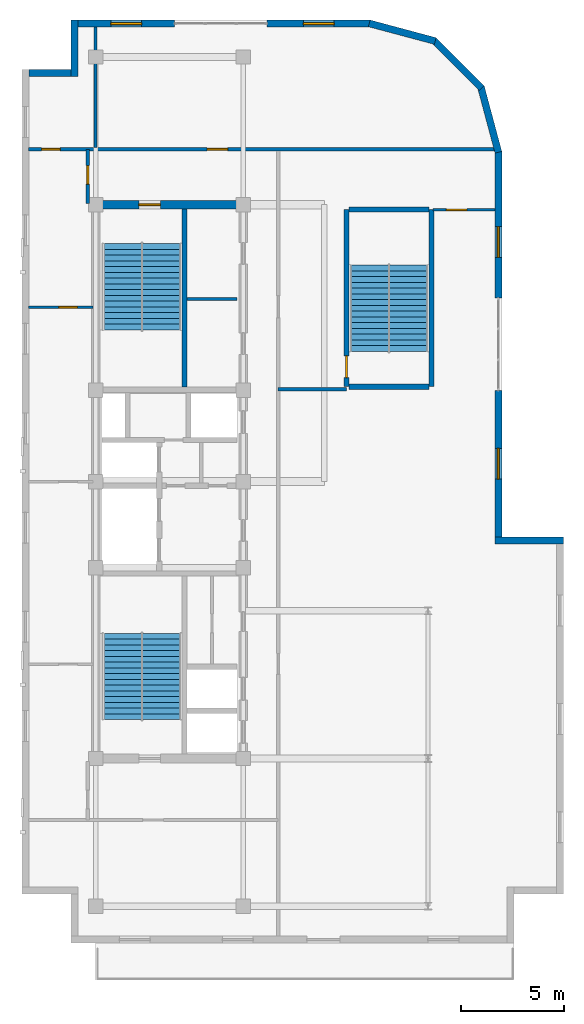
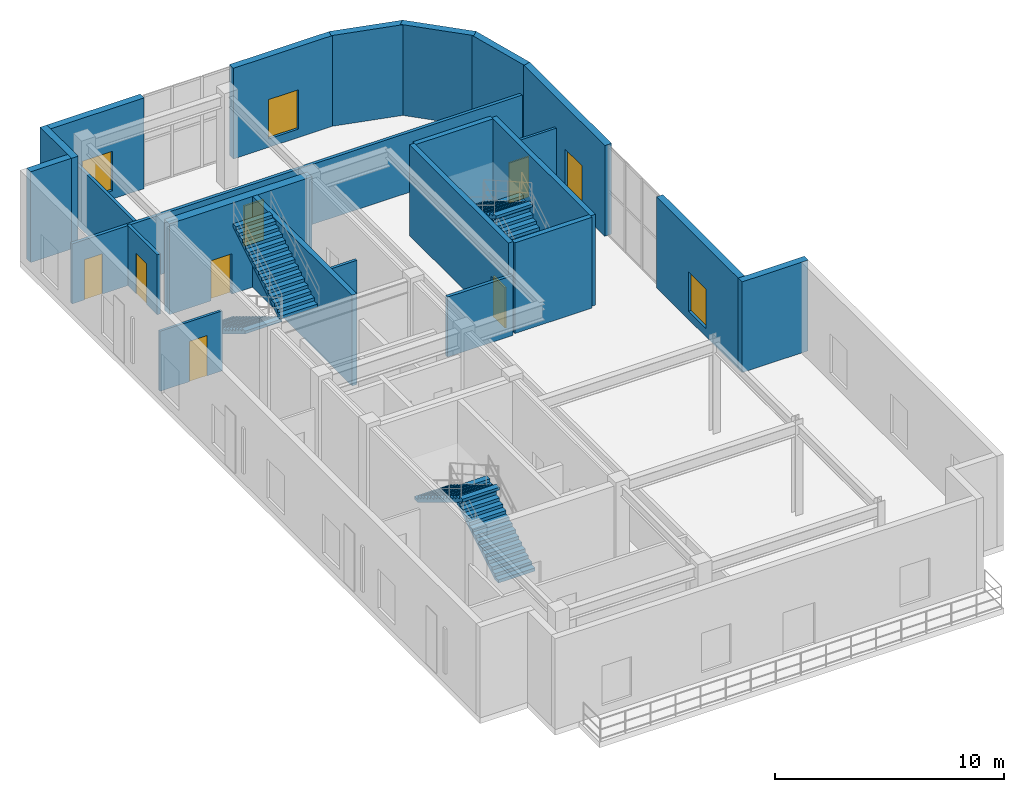
# One storey, part 8 of 10: 23 walls, 7 doors, 6 stair flights, 4 windows, 11 openings, 3 elements without a shape of their own.
"""IFC4 building model written with IfcOpenShell, lengths in metres."""

from ifc_helpers import new_model, entity, si_unit, converted_unit, direction, frame, origin_with_axes, origin_2d_with_axis, place, context, subcontext, project, spatial, polyline, rectangle, outline, extrude, material, layer, layer_set, type_object, element, fill, aggregate, save


model = new_model("IFC4")

# Units and contexts
model_context = context("Model", 3, precision=1e-05, world=origin_with_axes(), true_north=direction((0.0, 1.0)))
body_context = subcontext(model_context, "Body", "Model", "MODEL_VIEW")
ifc_project = project(units=[si_unit("LENGTHUNIT", "METRE"), si_unit("AREAUNIT", "SQUARE_METRE"), si_unit("VOLUMEUNIT", "CUBIC_METRE"), converted_unit("PLANEANGLEUNIT", "DEGREE", entity("IfcPlaneAngleMeasure", 0.017453292519943295), si_unit("PLANEANGLEUNIT", "RADIAN"), dimensions=[0, 0, 0, 0, 0, 0, 0]), si_unit("MASSUNIT", "GRAM", prefix="KILO"), si_unit("THERMODYNAMICTEMPERATUREUNIT", "KELVIN")], contexts=[model_context])

# Site, building, storey
site_placement = place(None, origin_with_axes())
site = spatial("IfcSite", under=ifc_project, at=site_placement, CompositionType="ELEMENT")
building_placement = place(site_placement, origin_with_axes())
building = spatial("IfcBuilding", under=site, at=building_placement, Name="Varnlund Millrace Tower", CompositionType="ELEMENT")
storey_placement = place(building_placement, frame((0.0, 0.0, 303.6), z_axis=(0.0, 0.0, 1.0), x_axis=(1.0, 0.0, 0.0)))
storey = spatial("IfcBuildingStorey", under=building, at=storey_placement, Name="L75", CompositionType="ELEMENT", Elevation=303.6)

# Wall, opening, door
ifc_material_1 = material(Name="Concrete C60/75", Category="concrete")
ifc_layer_1 = layer(ifc_material_1, 0.42, Name="Concrete C60/75")
ifc_layer_set_1 = layer_set([ifc_layer_1], Name="Concrete C60/75")
wall_type_1 = type_object("IfcWallType", Name="Type-CoreWall-Shear-420-C60", PredefinedType="SHEAR", material=ifc_layer_set_1)
wall_1_placement = place(storey_placement, frame((11.4, 37.8, 0.0), z_axis=(0.0, 0.0, 1.0), x_axis=(1.0, 0.0, 0.0)))
wall_1 = element("IfcWall", 1, at=wall_1_placement, inside=storey, type_object=wall_type_1, Name="Type-CoreWall-Shear-420-C60", PredefinedType="SHEAR", context=body_context, shape_type="SweptSolid", body=[
    extrude(outline(polyline([(0.0, -0.21), (7.2, -0.21), (7.2, 0.21), (0.0, 0.21), (0.0, -0.21)])), origin_with_axes(), (0.0, 0.0, 1.0), 4.84),
])
opening_1_placement = place(wall_1_placement, frame((2.625, 0.0, 0.0), z_axis=(0.0, 0.0, 1.0), x_axis=(1.0, 0.0, 0.0)))
opening_1 = element("IfcOpeningElement", 2, at=opening_1_placement, cuts=wall_1, Name="Opening L75:DR-STA2", PredefinedType="OPENING", context=body_context, shape_type="SweptSolid", body=[
    extrude(rectangle(XDim=1.05, YDim=0.44, at=origin_2d_with_axis()), origin_with_axes(), (0.0, 0.0, 1.0), 2.15),
])
ifc_material_2 = material(Name="Fire-rated hollow steel door", Category="steel")
door_type_1 = type_object("IfcDoorType", Name="Type-FireDoor-Stair-1050X2150", OperationType="NOTDEFINED", PredefinedType="DOOR", material=ifc_material_2)
door_1_placement = place(wall_1_placement, frame((2.625, 0.0, 0.0), z_axis=(0.0, 0.0, 1.0), x_axis=(1.0, 0.0, 0.0)))
door_1 = element("IfcDoor", 3, at=door_1_placement, inside=storey, type_object=door_type_1, Name="Type-FireDoor-Stair-1050X2150", OperationType="SINGLE_SWING_RIGHT", OverallHeight=2.15, OverallWidth=1.05, PredefinedType="DOOR", context=body_context, shape_type="SweptSolid", body=[
    extrude(rectangle(XDim=1.05, YDim=0.09, at=origin_2d_with_axis()), origin_with_axes(), (0.0, 0.0, 1.0), 2.15),
])
fill(opening_1, door_1)

# Walls
ifc_material_3 = material(Name="Precast concrete C50/60", Category="concrete")
ifc_layer_2 = layer(ifc_material_3, 0.34, Name="Precast concrete C50/60")
ifc_layer_set_2 = layer_set([ifc_layer_2], Name="Precast concrete C50/60")
wall_type_2 = type_object("IfcWallType", Name="Type-ExtWall-Precast-Upper-340", PredefinedType="SOLIDWALL", material=ifc_layer_set_2)
wall_2_placement = place(storey_placement, frame((8.14, 44.23, 0.0), z_axis=(0.0, 0.0, 1.0), x_axis=(1.0, 0.0, 0.0)))
element("IfcWall", 4, at=wall_2_placement, inside=storey, type_object=wall_type_2, Name="Type-ExtWall-Precast-Upper-340", PredefinedType="SOLIDWALL", context=body_context, shape_type="SweptSolid", body=[
    extrude(outline(polyline([(0.0, -0.17), (2.06, -0.17), (2.06, 0.17), (0.0, 0.17), (0.0, -0.17)])), origin_with_axes(), (0.0, 0.0, 1.0), 4.84),
])
wall_3_placement = place(storey_placement, frame((10.37, 44.06, 0.0), z_axis=(0.0, 0.0, 1.0), x_axis=(0.0, 1.0, 0.0)))
element("IfcWall", 5, at=wall_3_placement, inside=storey, type_object=wall_type_2, Name="Type-ExtWall-Precast-Upper-340", PredefinedType="SOLIDWALL", context=body_context, shape_type="SweptSolid", body=[
    extrude(outline(polyline([(0.0, -0.17), (2.74, -0.17), (2.74, 0.17), (0.0, 0.17), (0.0, -0.17)])), origin_with_axes(), (0.0, 0.0, 1.0), 4.84),
])

# Wall, opening, window
wall_4_placement = place(storey_placement, frame((10.54, 46.63, 0.0), z_axis=(0.0, 0.0, 1.0), x_axis=(1.0, 0.0, 0.0)))
wall_4 = element("IfcWall", 6, at=wall_4_placement, inside=storey, type_object=wall_type_2, Name="Type-ExtWall-Precast-Upper-340", PredefinedType="SOLIDWALL", context=body_context, shape_type="SweptSolid", body=[
    extrude(outline(polyline([(0.0, -0.17), (4.71, -0.17), (4.71, 0.17), (0.0, 0.17), (0.0, -0.17)])), origin_with_axes(), (0.0, 0.0, 1.0), 4.84),
])
opening_2_placement = place(wall_4_placement, frame((2.355, 0.0, 0.45), z_axis=(0.0, 0.0, 1.0), x_axis=(1.0, 0.0, 0.0)))
opening_2 = element("IfcOpeningElement", 7, at=opening_2_placement, cuts=wall_4, Name="Opening L75:WN-11", PredefinedType="OPENING", context=body_context, shape_type="SweptSolid", body=[
    extrude(rectangle(XDim=1.5, YDim=0.36, at=origin_2d_with_axis()), origin_with_axes(), (0.0, 0.0, 1.0), 2.1),
])
ifc_material_4 = material(Name="Argon low-e triple glazing in thermally broken bronze frame", Category="glass")
window_type = type_object("IfcWindowType", Name="Type-Window-Punched-1500X2100", PartitioningType="SINGLE_PANEL", PredefinedType="WINDOW", material=ifc_material_4)
window_1_placement = place(wall_4_placement, frame((2.355, 0.0, 0.45), z_axis=(0.0, 0.0, 1.0), x_axis=(1.0, 0.0, 0.0)))
window_1 = element("IfcWindow", 8, at=window_1_placement, inside=storey, type_object=window_type, Name="Type-Window-Punched-1500X2100", OverallHeight=2.1, OverallWidth=1.5, PredefinedType="WINDOW", context=body_context, shape_type="SweptSolid", body=[
    extrude(rectangle(XDim=1.5, YDim=0.09, at=origin_2d_with_axis()), origin_with_axes(), (0.0, 0.0, 1.0), 2.1),
])
fill(opening_2, window_1)

wall_5_placement = place(storey_placement, frame((19.75, 46.63, 0.0), z_axis=(0.0, 0.0, 1.0), x_axis=(1.0, 0.0, 0.0)))
wall_5 = element("IfcWall", 9, at=wall_5_placement, inside=storey, type_object=wall_type_2, Name="Type-ExtWall-Precast-Upper-340", PredefinedType="SOLIDWALL", context=body_context, shape_type="SweptSolid", body=[
    extrude(outline(polyline([(0.0, -0.17), (5.05, -0.17), (5.05, 0.17), (0.0, 0.17), (0.0, -0.17)])), origin_with_axes(), (0.0, 0.0, 1.0), 4.84),
])
opening_3_placement = place(wall_5_placement, frame((2.525, 0.0, 0.45), z_axis=(0.0, 0.0, 1.0), x_axis=(1.0, 0.0, 0.0)))
opening_3 = element("IfcOpeningElement", 10, at=opening_3_placement, cuts=wall_5, Name="Opening L75:WN-12", PredefinedType="OPENING", context=body_context, shape_type="SweptSolid", body=[
    extrude(rectangle(XDim=1.5, YDim=0.36, at=origin_2d_with_axis()), origin_with_axes(), (0.0, 0.0, 1.0), 2.1),
])
window_2_placement = place(wall_5_placement, frame((2.525, 0.0, 0.45), z_axis=(0.0, 0.0, 1.0), x_axis=(1.0, 0.0, 0.0)))
window_2 = element("IfcWindow", 11, at=window_2_placement, inside=storey, type_object=window_type, Name="Type-Window-Punched-1500X2100", OverallHeight=2.1, OverallWidth=1.5, PredefinedType="WINDOW", context=body_context, shape_type="SweptSolid", body=[
    extrude(rectangle(XDim=1.5, YDim=0.09, at=origin_2d_with_axis()), origin_with_axes(), (0.0, 0.0, 1.0), 2.1),
])
fill(opening_3, window_2)

# Walls
wall_6_placement = place(storey_placement, frame((24.737, 46.641, 0.0), z_axis=(0.0, 0.0, 1.0), x_axis=(0.965965, -0.258671, 0.0)))
element("IfcWall", 12, at=wall_6_placement, inside=storey, type_object=wall_type_2, Name="Type-ExtWall-Precast-Upper-340", PredefinedType="SOLIDWALL", context=body_context, shape_type="SweptSolid", body=[
    extrude(outline(polyline([(0.0, -0.17), (3.332417, -0.17), (3.332417, 0.17), (0.0, 0.17), (0.0, -0.17)])), origin_with_axes(), (0.0, 0.0, 1.0), 4.84),
])
wall_7_placement = place(storey_placement, frame((27.866, 45.837, 0.0), z_axis=(0.0, 0.0, 1.0), x_axis=(0.707107, -0.707107, 0.0)))
element("IfcWall", 13, at=wall_7_placement, inside=storey, type_object=wall_type_2, Name="Type-ExtWall-Precast-Upper-340", PredefinedType="SOLIDWALL", context=body_context, shape_type="SweptSolid", body=[
    extrude(outline(polyline([(0.0, -0.17), (3.333301, -0.17), (3.333301, 0.17), (0.0, 0.17), (0.0, -0.17)])), origin_with_axes(), (0.0, 0.0, 1.0), 4.84),
])
wall_8_placement = place(storey_placement, frame((30.174, 43.575, 0.0), z_axis=(0.0, 0.0, 1.0), x_axis=(0.258671, -0.965965, 0.0)))
element("IfcWall", 14, at=wall_8_placement, inside=storey, type_object=wall_type_2, Name="Type-ExtWall-Precast-Upper-340", PredefinedType="SOLIDWALL", context=body_context, shape_type="SweptSolid", body=[
    extrude(outline(polyline([(0.0, -0.17), (3.332417, -0.17), (3.332417, 0.17), (0.0, 0.17), (0.0, -0.17)])), origin_with_axes(), (0.0, 0.0, 1.0), 4.84),
])

# Wall, opening, window
wall_9_placement = place(storey_placement, frame((31.03, 40.42, 0.0), z_axis=(0.0, 0.0, 1.0), x_axis=(0.0, -1.0, 0.0)))
wall_9 = element("IfcWall", 15, at=wall_9_placement, inside=storey, type_object=wall_type_2, Name="Type-ExtWall-Precast-Upper-340", PredefinedType="SOLIDWALL", context=body_context, shape_type="SweptSolid", body=[
    extrude(outline(polyline([(0.0, -0.17), (7.17, -0.17), (7.17, 0.17), (0.0, 0.17), (0.0, -0.17)])), origin_with_axes(), (0.0, 0.0, 1.0), 4.84),
])
opening_4_placement = place(wall_9_placement, frame((4.435, 0.0, 0.45), z_axis=(0.0, 0.0, 1.0), x_axis=(1.0, 0.0, 0.0)))
opening_4 = element("IfcOpeningElement", 16, at=opening_4_placement, cuts=wall_9, Name="Opening L75:WN-13", PredefinedType="OPENING", context=body_context, shape_type="SweptSolid", body=[
    extrude(rectangle(XDim=1.5, YDim=0.36, at=origin_2d_with_axis()), origin_with_axes(), (0.0, 0.0, 1.0), 2.1),
])
window_3_placement = place(wall_9_placement, frame((4.435, 0.0, 0.45), z_axis=(0.0, 0.0, 1.0), x_axis=(1.0, 0.0, 0.0)))
window_3 = element("IfcWindow", 17, at=window_3_placement, inside=storey, type_object=window_type, Name="Type-Window-Punched-1500X2100", OverallHeight=2.1, OverallWidth=1.5, PredefinedType="WINDOW", context=body_context, shape_type="SweptSolid", body=[
    extrude(rectangle(XDim=1.5, YDim=0.09, at=origin_2d_with_axis()), origin_with_axes(), (0.0, 0.0, 1.0), 2.1),
])
fill(opening_4, window_3)

wall_10_placement = place(storey_placement, frame((31.03, 28.75, 0.0), z_axis=(0.0, 0.0, 1.0), x_axis=(0.0, -1.0, 0.0)))
wall_10 = element("IfcWall", 18, at=wall_10_placement, inside=storey, type_object=wall_type_2, Name="Type-ExtWall-Precast-Upper-340", PredefinedType="SOLIDWALL", context=body_context, shape_type="SweptSolid", body=[
    extrude(outline(polyline([(0.0, -0.17), (7.15, -0.17), (7.15, 0.17), (0.0, 0.17), (0.0, -0.17)])), origin_with_axes(), (0.0, 0.0, 1.0), 4.84),
])
opening_5_placement = place(wall_10_placement, frame((3.575, 0.0, 0.45), z_axis=(0.0, 0.0, 1.0), x_axis=(1.0, 0.0, 0.0)))
opening_5 = element("IfcOpeningElement", 19, at=opening_5_placement, cuts=wall_10, Name="Opening L75:WN-14", PredefinedType="OPENING", context=body_context, shape_type="SweptSolid", body=[
    extrude(rectangle(XDim=1.5, YDim=0.36, at=origin_2d_with_axis()), origin_with_axes(), (0.0, 0.0, 1.0), 2.1),
])
window_4_placement = place(wall_10_placement, frame((3.575, 0.0, 0.45), z_axis=(0.0, 0.0, 1.0), x_axis=(1.0, 0.0, 0.0)))
window_4 = element("IfcWindow", 20, at=window_4_placement, inside=storey, type_object=window_type, Name="Type-Window-Punched-1500X2100", OverallHeight=2.1, OverallWidth=1.5, PredefinedType="WINDOW", context=body_context, shape_type="SweptSolid", body=[
    extrude(rectangle(XDim=1.5, YDim=0.09, at=origin_2d_with_axis()), origin_with_axes(), (0.0, 0.0, 1.0), 2.1),
])
fill(opening_5, window_4)

# Wall
wall_11_placement = place(storey_placement, frame((30.86, 21.43, 0.0), z_axis=(0.0, 0.0, 1.0), x_axis=(1.0, 0.0, 0.0)))
element("IfcWall", 21, at=wall_11_placement, inside=storey, type_object=wall_type_2, Name="Type-ExtWall-Precast-Upper-340", PredefinedType="SOLIDWALL", context=body_context, shape_type="SweptSolid", body=[
    extrude(outline(polyline([(0.0, -0.17), (3.34, -0.17), (3.34, 0.17), (0.0, 0.17), (0.0, -0.17)])), origin_with_axes(), (0.0, 0.0, 1.0), 4.84),
])

# Wall, openings, doors
ifc_material_5 = material(Name="Fire-rated gypsum board on cold-formed steel framing", Category="steel")
ifc_layer_3 = layer(ifc_material_5, 0.16, Name="Fire-rated gypsum board on cold-formed steel framing")
ifc_layer_set_3 = layer_set([ifc_layer_3], Name="Fire-rated gypsum board on cold-formed steel framing")
wall_type_3 = type_object("IfcWallType", Name="Type-Partition-Corridor-160", PredefinedType="PARTITIONING", material=ifc_layer_set_3)
wall_12_placement = place(storey_placement, frame((8.135, 40.5, 0.0), z_axis=(0.0, 0.0, 1.0), x_axis=(1.0, 0.0, 0.0)))
wall_12 = element("IfcWall", 22, at=wall_12_placement, inside=storey, type_object=wall_type_3, Name="Type-Partition-Corridor-160", PredefinedType="PARTITIONING", context=body_context, shape_type="SweptSolid", body=[
    extrude(outline(polyline([(0.0, -0.08), (22.715, -0.08), (22.715, 0.08), (0.0, 0.08), (0.0, -0.08)])), origin_with_axes(), (0.0, 0.0, 1.0), 3.2),
])
opening_6_placement = place(wall_12_placement, frame((1.08, 0.0, 0.0), z_axis=(0.0, 0.0, 1.0), x_axis=(1.0, 0.0, 0.0)))
opening_6 = element("IfcOpeningElement", 23, at=opening_6_placement, cuts=wall_12, Name="Opening L75:DR-WAN-01", PredefinedType="OPENING", context=body_context, shape_type="SweptSolid", body=[
    extrude(rectangle(XDim=0.9, YDim=0.18, at=origin_2d_with_axis()), origin_with_axes(), (0.0, 0.0, 1.0), 2.15),
])
opening_7_placement = place(wall_12_placement, frame((9.2, 0.0, 0.0), z_axis=(0.0, 0.0, 1.0), x_axis=(1.0, 0.0, 0.0)))
opening_7 = element("IfcOpeningElement", 24, at=opening_7_placement, cuts=wall_12, Name="Opening L75:DR-WAN-02", PredefinedType="OPENING", context=body_context, shape_type="SweptSolid", body=[
    extrude(rectangle(XDim=1.0, YDim=0.18, at=origin_2d_with_axis()), origin_with_axes(), (0.0, 0.0, 1.0), 2.15),
])
ifc_material_6 = material(Name="Painted steel riser and closet door", Category="steel")
door_type_2 = type_object("IfcDoorType", Name="Type-IntDoor-Closet-900X2150", OperationType="NOTDEFINED", PredefinedType="DOOR", material=ifc_material_6)
door_2_placement = place(wall_12_placement, frame((1.08, 0.0, 0.0), z_axis=(0.0, 0.0, 1.0), x_axis=(1.0, 0.0, 0.0)))
door_2 = element("IfcDoor", 25, at=door_2_placement, inside=storey, type_object=door_type_2, Name="Type-IntDoor-Closet-900X2150", OperationType="SINGLE_SWING_LEFT", OverallHeight=2.15, OverallWidth=0.9, PredefinedType="DOOR", context=body_context, shape_type="SweptSolid", body=[
    extrude(rectangle(XDim=0.9, YDim=0.09, at=origin_2d_with_axis()), origin_with_axes(), (0.0, 0.0, 1.0), 2.15),
])
fill(opening_6, door_2)
ifc_material_7 = material(Name="Solid-core white oak and bronze frame door")
door_type_3 = type_object("IfcDoorType", Name="Type-IntDoor-Office-1000X2150", OperationType="NOTDEFINED", PredefinedType="DOOR", material=ifc_material_7)
door_3_placement = place(wall_12_placement, frame((9.2, 0.0, 0.0), z_axis=(0.0, 0.0, 1.0), x_axis=(1.0, 0.0, 0.0)))
door_3 = element("IfcDoor", 26, at=door_3_placement, inside=storey, type_object=door_type_3, Name="Type-IntDoor-Office-1000X2150", OperationType="SINGLE_SWING_RIGHT", OverallHeight=2.15, OverallWidth=1.0, PredefinedType="DOOR", context=body_context, shape_type="SweptSolid", body=[
    extrude(rectangle(XDim=1.0, YDim=0.09, at=origin_2d_with_axis()), origin_with_axes(), (0.0, 0.0, 1.0), 2.15),
])
fill(opening_7, door_3)

# Wall
wall_13_placement = place(storey_placement, frame((20.3, 28.8, 0.0), z_axis=(0.0, 0.0, 1.0), x_axis=(1.0, 0.0, 0.0)))
element("IfcWall", 27, at=wall_13_placement, inside=storey, type_object=wall_type_3, Name="Type-Partition-Corridor-160", PredefinedType="PARTITIONING", context=body_context, shape_type="SweptSolid", body=[
    extrude(outline(polyline([(0.0, -0.08), (3.32, -0.08), (3.32, 0.08), (0.0, 0.08), (0.0, -0.08)])), origin_with_axes(), (0.0, 0.0, 1.0), 3.2),
])

# Wall, opening, door
wall_14_placement = place(storey_placement, frame((11.02, 37.85, 0.0), z_axis=(0.0, 0.0, 1.0), x_axis=(0.0, 1.0, 0.0)))
wall_14 = element("IfcWall", 28, at=wall_14_placement, inside=storey, type_object=wall_type_3, Name="Type-Partition-Corridor-160", PredefinedType="PARTITIONING", context=body_context, shape_type="SweptSolid", body=[
    extrude(outline(polyline([(0.0, -0.08), (2.65, -0.08), (2.65, 0.08), (0.0, 0.08), (0.0, -0.08)])), origin_with_axes(), (0.0, 0.0, 1.0), 3.2),
])
opening_8_placement = place(wall_14_placement, frame((1.4, 0.0, 0.0), z_axis=(0.0, 0.0, 1.0), x_axis=(1.0, 0.0, 0.0)))
opening_8 = element("IfcOpeningElement", 29, at=opening_8_placement, cuts=wall_14, Name="Opening L75:DR-WU-N1", PredefinedType="OPENING", context=body_context, shape_type="SweptSolid", body=[
    extrude(rectangle(XDim=0.9, YDim=0.18, at=origin_2d_with_axis()), origin_with_axes(), (0.0, 0.0, 1.0), 2.15),
])
door_4_placement = place(wall_14_placement, frame((1.4, 0.0, 0.0), z_axis=(0.0, 0.0, 1.0), x_axis=(1.0, 0.0, 0.0)))
door_4 = element("IfcDoor", 30, at=door_4_placement, inside=storey, type_object=door_type_2, Name="Type-IntDoor-Closet-900X2150", OperationType="SINGLE_SWING_RIGHT", OverallHeight=2.15, OverallWidth=0.9, PredefinedType="DOOR", context=body_context, shape_type="SweptSolid", body=[
    extrude(rectangle(XDim=0.9, YDim=0.09, at=origin_2d_with_axis()), origin_with_axes(), (0.0, 0.0, 1.0), 2.15),
])
fill(opening_8, door_4)

# Wall
ifc_material_8 = material(Name="Acoustic STC-50 gypsum board partition", Category="gypsum")
ifc_layer_4 = layer(ifc_material_8, 0.15, Name="Acoustic STC-50 gypsum board partition")
ifc_layer_set_4 = layer_set([ifc_layer_4], Name="Acoustic STC-50 gypsum board partition")
wall_type_4 = type_object("IfcWallType", Name="Type-Partition-Demising-150", PredefinedType="PARTITIONING", material=ifc_layer_set_4)
wall_15_placement = place(storey_placement, frame((11.4, 40.6, 0.0), z_axis=(0.0, 0.0, 1.0), x_axis=(0.0, 1.0, 0.0)))
element("IfcWall", 31, at=wall_15_placement, inside=storey, type_object=wall_type_4, Name="Type-Partition-Demising-150", PredefinedType="PARTITIONING", context=body_context, shape_type="SweptSolid", body=[
    extrude(outline(polyline([(0.0, -0.075), (5.865, -0.075), (5.865, 0.075), (0.0, 0.075), (0.0, -0.075)])), origin_with_axes(), (0.0, 0.0, 1.0), 3.2),
])

# Wall, opening, door
ifc_material_9 = material(Name="Gypsum board tenant partition", Category="gypsum")
ifc_layer_5 = layer(ifc_material_9, 0.125, Name="Gypsum board tenant partition")
ifc_layer_set_5 = layer_set([ifc_layer_5], Name="Gypsum board tenant partition")
wall_type_5 = type_object("IfcWallType", Name="Type-Partition-Tenant-125", PredefinedType="PARTITIONING", material=ifc_layer_set_5)
wall_16_placement = place(storey_placement, frame((8.135, 32.8, 0.0), z_axis=(0.0, 0.0, 1.0), x_axis=(1.0, 0.0, 0.0)))
wall_16 = element("IfcWall", 32, at=wall_16_placement, inside=storey, type_object=wall_type_5, Name="Type-Partition-Tenant-125", PredefinedType="PARTITIONING", context=body_context, shape_type="SweptSolid", body=[
    extrude(outline(polyline([(0.0, -0.0625), (3.135, -0.0625), (3.135, 0.0625), (0.0, 0.0625), (0.0, -0.0625)])), origin_with_axes(), (0.0, 0.0, 1.0), 3.2),
])
opening_9_placement = place(wall_16_placement, frame((1.925, 0.0, 0.0), z_axis=(0.0, 0.0, 1.0), x_axis=(1.0, 0.0, 0.0)))
opening_9 = element("IfcOpeningElement", 33, at=opening_9_placement, cuts=wall_16, Name="Opening L75:DR-WUI-3", PredefinedType="OPENING", context=body_context, shape_type="SweptSolid", body=[
    extrude(rectangle(XDim=0.9, YDim=0.145, at=origin_2d_with_axis()), origin_with_axes(), (0.0, 0.0, 1.0), 2.15),
])
door_5_placement = place(wall_16_placement, frame((1.925, 0.0, 0.0), z_axis=(0.0, 0.0, 1.0), x_axis=(1.0, 0.0, 0.0)))
door_5 = element("IfcDoor", 34, at=door_5_placement, inside=storey, type_object=door_type_2, Name="Type-IntDoor-Closet-900X2150", OperationType="SINGLE_SWING_LEFT", OverallHeight=2.15, OverallWidth=0.9, PredefinedType="DOOR", context=body_context, shape_type="SweptSolid", body=[
    extrude(rectangle(XDim=0.9, YDim=0.075, at=origin_2d_with_axis()), origin_with_axes(), (0.0, 0.0, 1.0), 2.15),
])
fill(opening_9, door_5)

wall_17_placement = place(storey_placement, frame((27.85, 37.55, 0.0), z_axis=(0.0, 0.0, 1.0), x_axis=(1.0, 0.0, 0.0)))
wall_17 = element("IfcWall", 35, at=wall_17_placement, inside=storey, type_object=wall_type_5, Name="Type-Partition-Tenant-125", PredefinedType="PARTITIONING", context=body_context, shape_type="SweptSolid", body=[
    extrude(outline(polyline([(0.0, -0.0625), (3.015, -0.0625), (3.015, 0.0625), (0.0, 0.0625), (0.0, -0.0625)])), origin_with_axes(), (0.0, 0.0, 1.0), 3.2),
])
opening_10_placement = place(wall_17_placement, frame((1.15, 0.0, 0.0), z_axis=(0.0, 0.0, 1.0), x_axis=(1.0, 0.0, 0.0)))
opening_10 = element("IfcOpeningElement", 36, at=opening_10_placement, cuts=wall_17, Name="Opening L75:DR-SUM-N", PredefinedType="OPENING", context=body_context, shape_type="SweptSolid", body=[
    extrude(rectangle(XDim=1.0, YDim=0.145, at=origin_2d_with_axis()), origin_with_axes(), (0.0, 0.0, 1.0), 2.15),
])
door_6_placement = place(wall_17_placement, frame((1.15, 0.0, 0.0), z_axis=(0.0, 0.0, 1.0), x_axis=(1.0, 0.0, 0.0)))
door_6 = element("IfcDoor", 37, at=door_6_placement, inside=storey, type_object=door_type_3, Name="Type-IntDoor-Office-1000X2150", OperationType="SINGLE_SWING_LEFT", OverallHeight=2.15, OverallWidth=1.0, PredefinedType="DOOR", context=body_context, shape_type="SweptSolid", body=[
    extrude(rectangle(XDim=1.0, YDim=0.075, at=origin_2d_with_axis()), origin_with_axes(), (0.0, 0.0, 1.0), 2.15),
])
fill(opening_10, door_6)

# Walls
ifc_material_10 = material(Name="Moisture-resistant gypsum restroom partition", Category="gypsum")
ifc_layer_6 = layer(ifc_material_10, 0.14, Name="Moisture-resistant gypsum restroom partition")
ifc_layer_set_6 = layer_set([ifc_layer_6], Name="Moisture-resistant gypsum restroom partition")
wall_type_6 = type_object("IfcWallType", Name="Type-Partition-Wet-140", PredefinedType="PARTITIONING", material=ifc_layer_set_6)
wall_18_placement = place(storey_placement, frame((15.84, 33.2, 0.0), z_axis=(0.0, 0.0, 1.0), x_axis=(1.0, 0.0, 0.0)))
element("IfcWall", 38, at=wall_18_placement, inside=storey, type_object=wall_type_6, Name="Type-Partition-Wet-140", PredefinedType="PARTITIONING", context=body_context, shape_type="SweptSolid", body=[
    extrude(outline(polyline([(0.0, -0.07), (2.46, -0.07), (2.46, 0.07), (0.0, 0.07), (0.0, -0.07)])), origin_with_axes(), (0.0, 0.0, 1.0), 3.2),
])
ifc_layer_7 = layer(ifc_material_1, 0.25, Name="Concrete C60/75")
ifc_layer_set_7 = layer_set([ifc_layer_7], Name="Concrete C60/75")
wall_type_7 = type_object("IfcWallType", Name="Type-StairWall-Shear-250", PredefinedType="SHEAR", material=ifc_layer_set_7)
wall_19_placement = place(storey_placement, frame((15.725, 28.9, 0.0), z_axis=(0.0, 0.0, 1.0), x_axis=(0.0, 1.0, 0.0)))
element("IfcWall", 39, at=wall_19_placement, inside=storey, type_object=wall_type_7, Name="Type-StairWall-Shear-250", PredefinedType="SHEAR", context=body_context, shape_type="SweptSolid", body=[
    extrude(outline(polyline([(0.0, -0.125), (8.69, -0.125), (8.69, 0.125), (0.0, 0.125), (0.0, -0.125)])), origin_with_axes(), (0.0, 0.0, 1.0), 4.84),
])

# Wall, opening, door
wall_20_placement = place(storey_placement, frame((23.625, 28.925, 0.0), z_axis=(0.0, 0.0, 1.0), x_axis=(0.0, 1.0, 0.0)))
wall_20 = element("IfcWall", 40, at=wall_20_placement, inside=storey, type_object=wall_type_7, Name="Type-StairWall-Shear-250", PredefinedType="SHEAR", context=body_context, shape_type="SweptSolid", body=[
    extrude(outline(polyline([(0.0, -0.125), (8.65, -0.125), (8.65, 0.125), (0.0, 0.125), (0.0, -0.125)])), origin_with_axes(), (0.0, 0.0, 1.0), 4.84),
])
opening_11_placement = place(wall_20_placement, frame((0.975, 0.0, 0.0), z_axis=(0.0, 0.0, 1.0), x_axis=(1.0, 0.0, 0.0)))
opening_11 = element("IfcOpeningElement", 41, at=opening_11_placement, cuts=wall_20, Name="Opening L75:DR-STA3", PredefinedType="OPENING", context=body_context, shape_type="SweptSolid", body=[
    extrude(rectangle(XDim=1.05, YDim=0.27, at=origin_2d_with_axis()), origin_with_axes(), (0.0, 0.0, 1.0), 2.15),
])
door_7_placement = place(wall_20_placement, frame((0.975, 0.0, 0.0), z_axis=(0.0, 0.0, 1.0), x_axis=(1.0, 0.0, 0.0)))
door_7 = element("IfcDoor", 42, at=door_7_placement, inside=storey, type_object=door_type_1, Name="Type-FireDoor-Stair-1050X2150", OperationType="SINGLE_SWING_LEFT", OverallHeight=2.15, OverallWidth=1.05, PredefinedType="DOOR", context=body_context, shape_type="SweptSolid", body=[
    extrude(rectangle(XDim=1.05, YDim=0.09, at=origin_2d_with_axis()), origin_with_axes(), (0.0, 0.0, 1.0), 2.15),
])
fill(opening_11, door_7)

# Walls
wall_21_placement = place(storey_placement, frame((27.775, 28.925, 0.0), z_axis=(0.0, 0.0, 1.0), x_axis=(0.0, 1.0, 0.0)))
element("IfcWall", 43, at=wall_21_placement, inside=storey, type_object=wall_type_7, Name="Type-StairWall-Shear-250", PredefinedType="SHEAR", context=body_context, shape_type="SweptSolid", body=[
    extrude(outline(polyline([(0.0, -0.125), (8.65, -0.125), (8.65, 0.125), (0.0, 0.125), (0.0, -0.125)])), origin_with_axes(), (0.0, 0.0, 1.0), 4.84),
])
for number, where, z_axis, x_axis, name in (
    (44, (23.75, 28.925, 0.0), (0.0, 0.0, 1.0), (1.0, 0.0, 0.0), "Type-StairWall-Shear-250"),
    (45, (23.75, 37.575, 0.0), (0.0, 0.0, 1.0), (1.0, 0.0, 0.0), "Type-StairWall-Shear-250"),
):
    element("IfcWall", number, at=place(storey_placement, frame(where, z_axis=z_axis, x_axis=x_axis)), inside=storey, type_object=wall_type_7, Name=name, PredefinedType="SHEAR", context=body_context, shape_type="SweptSolid", body=[
        extrude(outline(polyline([(0.0, -0.125), (3.9, -0.125), (3.9, 0.125), (0.0, 0.125), (0.0, -0.125)])), origin_with_axes(), (0.0, 0.0, 1.0), 4.84),
    ])

# Stair, stair flights
ifc_material_11 = material(Name="Concrete C50/60", Category="concrete")
stair_type = type_object("IfcStairType", Name="Type-Stair-Dogleg-185-510", PredefinedType="HALF_TURN_STAIR", material=ifc_material_11)
stair_1_placement = place(storey_placement, origin_with_axes())
stair_1 = element("IfcStair", 46, at=stair_1_placement, inside=storey, type_object=stair_type, Name="Type-Stair-Dogleg-185-510", PredefinedType="HALF_TURN_STAIR")
stair_flight_type = type_object("IfcStairFlightType", Name="Type-Dogleg-Run-185-510", PredefinedType="STRAIGHT", material=ifc_material_3)
stair_flight_1_placement = place(storey_placement, frame((13.625, 12.7, 0.0), z_axis=(1.0, 0.0, 0.0), x_axis=(0.0, 1.0, 0.0)))
stair_flight_1 = element("IfcStairFlight", 47, at=stair_flight_1_placement, type_object=stair_flight_type, Name="ST-A1 flight 1", NumberOfRisers=15, NumberOfTreads=15, PredefinedType="STRAIGHT", RiserHeight=0.17, TreadLength=0.28, context=body_context, shape_type="SweptSolid", body=[
    extrude(outline(polyline([(0.0, 0.0), (0.0, 0.17), (0.28, 0.17), (0.28, 0.34), (0.56, 0.34), (0.56, 0.51), (0.84, 0.51), (0.84, 0.68), (1.12, 0.68), (1.12, 0.85), (1.4, 0.85), (1.4, 1.02), (1.68, 1.02), (1.68, 1.19), (1.96, 1.19), (1.96, 1.36), (2.24, 1.36), (2.24, 1.53), (2.52, 1.53), (2.52, 1.7), (2.8, 1.7), (2.8, 1.87), (3.08, 1.87), (3.08, 2.04), (3.36, 2.04), (3.36, 2.21), (3.64, 2.21), (3.64, 2.38), (3.92, 2.38), (3.92, 2.55), (4.2, 2.55), (4.2, 2.4), (0.28, 0.0), (0.0, 0.0)])), origin_with_axes(), (0.0, 0.0, 1.0), 1.85),
])
stair_flight_2_placement = place(storey_placement, frame((13.675, 16.9, 2.55), z_axis=(-1.0, 0.0, 0.0), x_axis=(0.0, -1.0, 0.0)))
stair_flight_2 = element("IfcStairFlight", 48, at=stair_flight_2_placement, type_object=stair_flight_type, Name="ST-A1 flight 2", NumberOfRisers=15, NumberOfTreads=15, PredefinedType="STRAIGHT", RiserHeight=0.17, TreadLength=0.28, context=body_context, shape_type="SweptSolid", body=[
    extrude(outline(polyline([(0.0, 0.0), (0.0, 0.17), (0.28, 0.17), (0.28, 0.34), (0.56, 0.34), (0.56, 0.51), (0.84, 0.51), (0.84, 0.68), (1.12, 0.68), (1.12, 0.85), (1.4, 0.85), (1.4, 1.02), (1.68, 1.02), (1.68, 1.19), (1.96, 1.19), (1.96, 1.36), (2.24, 1.36), (2.24, 1.53), (2.52, 1.53), (2.52, 1.7), (2.8, 1.7), (2.8, 1.87), (3.08, 1.87), (3.08, 2.04), (3.36, 2.04), (3.36, 2.21), (3.64, 2.21), (3.64, 2.38), (3.92, 2.38), (3.92, 2.55), (4.2, 2.55), (4.2, 2.4), (0.28, 0.0), (0.0, 0.0)])), origin_with_axes(), (0.0, 0.0, 1.0), 1.85),
])
aggregate(stair_1, [stair_flight_1, stair_flight_2])

stair_2_placement = place(storey_placement, origin_with_axes())
stair_2 = element("IfcStair", 49, at=stair_2_placement, inside=storey, type_object=stair_type, Name="Type-Stair-Dogleg-185-510", PredefinedType="HALF_TURN_STAIR")
stair_flight_3_placement = place(storey_placement, frame((13.675, 35.9, 0.0), z_axis=(-1.0, 0.0, 0.0), x_axis=(0.0, -1.0, 0.0)))
stair_flight_3 = element("IfcStairFlight", 50, at=stair_flight_3_placement, type_object=stair_flight_type, Name="ST-A2 flight 1", NumberOfRisers=15, NumberOfTreads=15, PredefinedType="STRAIGHT", RiserHeight=0.17, TreadLength=0.28, context=body_context, shape_type="SweptSolid", body=[
    extrude(outline(polyline([(0.0, 0.0), (0.0, 0.17), (0.28, 0.17), (0.28, 0.34), (0.56, 0.34), (0.56, 0.51), (0.84, 0.51), (0.84, 0.68), (1.12, 0.68), (1.12, 0.85), (1.4, 0.85), (1.4, 1.02), (1.68, 1.02), (1.68, 1.19), (1.96, 1.19), (1.96, 1.36), (2.24, 1.36), (2.24, 1.53), (2.52, 1.53), (2.52, 1.7), (2.8, 1.7), (2.8, 1.87), (3.08, 1.87), (3.08, 2.04), (3.36, 2.04), (3.36, 2.21), (3.64, 2.21), (3.64, 2.38), (3.92, 2.38), (3.92, 2.55), (4.2, 2.55), (4.2, 2.4), (0.28, 0.0), (0.0, 0.0)])), origin_with_axes(), (0.0, 0.0, 1.0), 1.85),
])
stair_flight_4_placement = place(storey_placement, frame((13.625, 31.7, 2.55), z_axis=(1.0, 0.0, 0.0), x_axis=(0.0, 1.0, 0.0)))
stair_flight_4 = element("IfcStairFlight", 51, at=stair_flight_4_placement, type_object=stair_flight_type, Name="ST-A2 flight 2", NumberOfRisers=15, NumberOfTreads=15, PredefinedType="STRAIGHT", RiserHeight=0.17, TreadLength=0.28, context=body_context, shape_type="SweptSolid", body=[
    extrude(outline(polyline([(0.0, 0.0), (0.0, 0.17), (0.28, 0.17), (0.28, 0.34), (0.56, 0.34), (0.56, 0.51), (0.84, 0.51), (0.84, 0.68), (1.12, 0.68), (1.12, 0.85), (1.4, 0.85), (1.4, 1.02), (1.68, 1.02), (1.68, 1.19), (1.96, 1.19), (1.96, 1.36), (2.24, 1.36), (2.24, 1.53), (2.52, 1.53), (2.52, 1.7), (2.8, 1.7), (2.8, 1.87), (3.08, 1.87), (3.08, 2.04), (3.36, 2.04), (3.36, 2.21), (3.64, 2.21), (3.64, 2.38), (3.92, 2.38), (3.92, 2.55), (4.2, 2.55), (4.2, 2.4), (0.28, 0.0), (0.0, 0.0)])), origin_with_axes(), (0.0, 0.0, 1.0), 1.85),
])
aggregate(stair_2, [stair_flight_3, stair_flight_4])

stair_3_placement = place(storey_placement, origin_with_axes())
stair_3 = element("IfcStair", 52, at=stair_3_placement, inside=storey, type_object=stair_type, Name="Type-Stair-Dogleg-185-510", PredefinedType="HALF_TURN_STAIR")
stair_flight_5_placement = place(storey_placement, frame((25.675, 30.65, 0.0), z_axis=(1.0, 0.0, 0.0), x_axis=(0.0, 1.0, 0.0)))
stair_flight_5 = element("IfcStairFlight", 53, at=stair_flight_5_placement, type_object=stair_flight_type, Name="ST-A3 flight 1", NumberOfRisers=15, NumberOfTreads=15, PredefinedType="STRAIGHT", RiserHeight=0.17, TreadLength=0.28, context=body_context, shape_type="SweptSolid", body=[
    extrude(outline(polyline([(0.0, 0.0), (0.0, 0.17), (0.28, 0.17), (0.28, 0.34), (0.56, 0.34), (0.56, 0.51), (0.84, 0.51), (0.84, 0.68), (1.12, 0.68), (1.12, 0.85), (1.4, 0.85), (1.4, 1.02), (1.68, 1.02), (1.68, 1.19), (1.96, 1.19), (1.96, 1.36), (2.24, 1.36), (2.24, 1.53), (2.52, 1.53), (2.52, 1.7), (2.8, 1.7), (2.8, 1.87), (3.08, 1.87), (3.08, 2.04), (3.36, 2.04), (3.36, 2.21), (3.64, 2.21), (3.64, 2.38), (3.92, 2.38), (3.92, 2.55), (4.2, 2.55), (4.2, 2.4), (0.28, 0.0), (0.0, 0.0)])), origin_with_axes(), (0.0, 0.0, 1.0), 1.85),
])
stair_flight_6_placement = place(storey_placement, frame((25.725, 34.85, 2.55), z_axis=(-1.0, 0.0, 0.0), x_axis=(0.0, -1.0, 0.0)))
stair_flight_6 = element("IfcStairFlight", 54, at=stair_flight_6_placement, type_object=stair_flight_type, Name="ST-A3 flight 2", NumberOfRisers=15, NumberOfTreads=15, PredefinedType="STRAIGHT", RiserHeight=0.17, TreadLength=0.28, context=body_context, shape_type="SweptSolid", body=[
    extrude(outline(polyline([(0.0, 0.0), (0.0, 0.17), (0.28, 0.17), (0.28, 0.34), (0.56, 0.34), (0.56, 0.51), (0.84, 0.51), (0.84, 0.68), (1.12, 0.68), (1.12, 0.85), (1.4, 0.85), (1.4, 1.02), (1.68, 1.02), (1.68, 1.19), (1.96, 1.19), (1.96, 1.36), (2.24, 1.36), (2.24, 1.53), (2.52, 1.53), (2.52, 1.7), (2.8, 1.7), (2.8, 1.87), (3.08, 1.87), (3.08, 2.04), (3.36, 2.04), (3.36, 2.21), (3.64, 2.21), (3.64, 2.38), (3.92, 2.38), (3.92, 2.55), (4.2, 2.55), (4.2, 2.4), (0.28, 0.0), (0.0, 0.0)])), origin_with_axes(), (0.0, 0.0, 1.0), 1.85),
])
aggregate(stair_3, [stair_flight_5, stair_flight_6])

save(model, "model.ifc")
